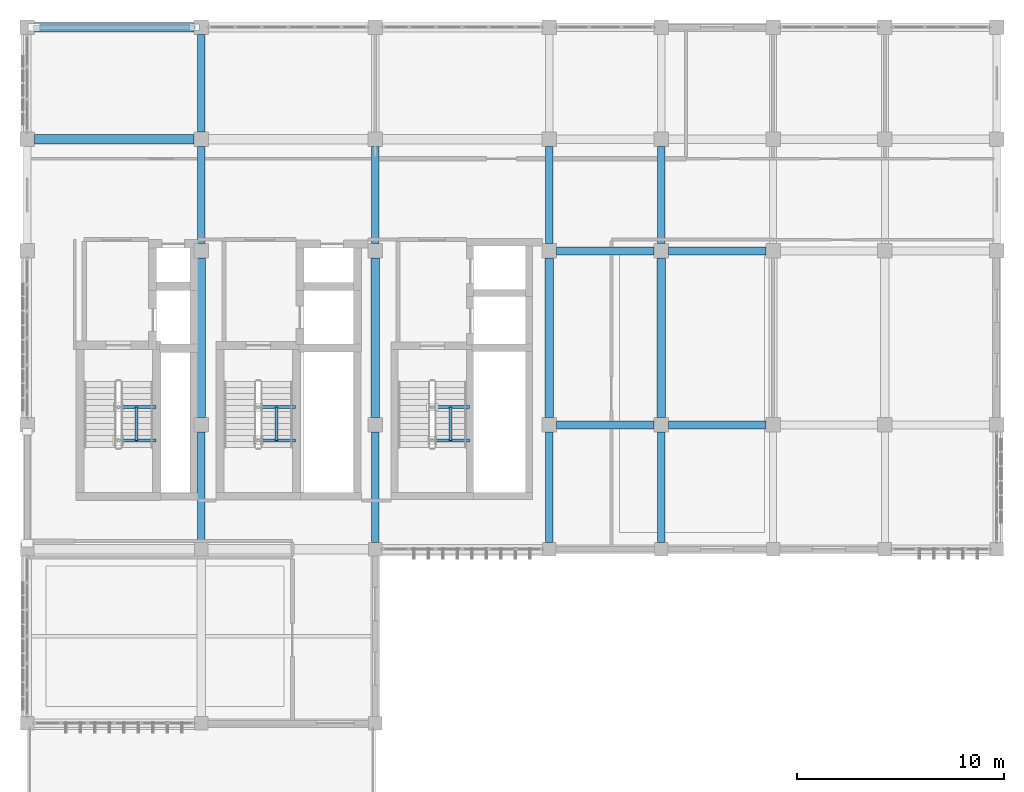
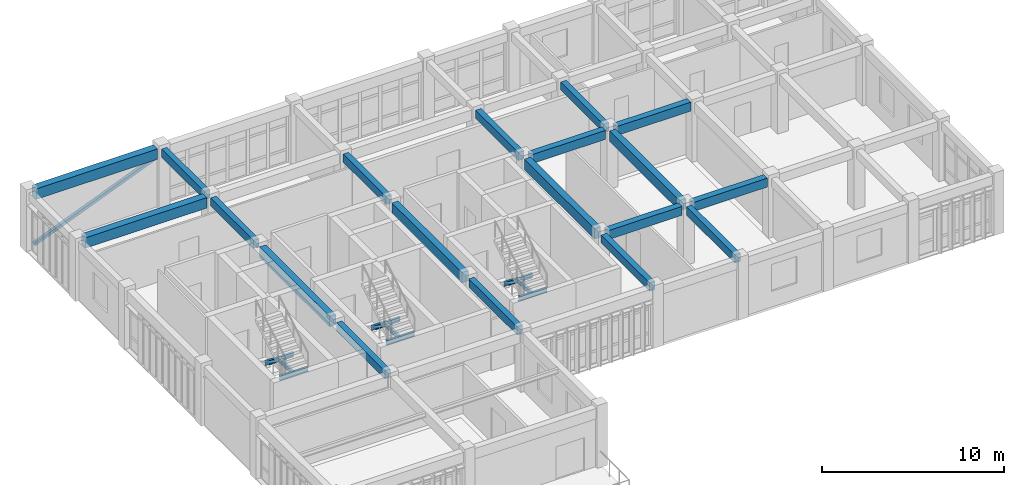
# One storey, part 11 of 23: 28 beams, 1 member.
"""IFC4 building model written with IfcOpenShell, lengths in metres."""

from ifc_helpers import new_model, si_unit, direction, frame, origin, origin_2d, place, context, subcontext, project, spatial, rectangle, hollow_rectangle, i_section, extrude, material, material_profile, profile_set, type_object, element, save


model = new_model("IFC4")

# Units and contexts
model_context = context("Model", 3, precision=1e-05, world=origin(), true_north=direction((0.0, 1.0)))
body_context = subcontext(model_context, "Body", "Model", "MODEL_VIEW")
ifc_project = project(units=[si_unit("LENGTHUNIT", "METRE"), si_unit("AREAUNIT", "SQUARE_METRE"), si_unit("VOLUMEUNIT", "CUBIC_METRE"), si_unit("PLANEANGLEUNIT", "RADIAN"), si_unit("MASSUNIT", "GRAM", prefix="KILO")], contexts=[model_context])

# Site, building, storey
site_placement = place(None, origin())
site = spatial("IfcSite", under=ifc_project, at=site_placement, CompositionType="ELEMENT")
building_placement = place(site_placement, origin())
building = spatial("IfcBuilding", under=site, at=building_placement, Name="Krzemoval Escarpment Law Courts", CompositionType="ELEMENT")
storey_placement = place(building_placement, frame((0.0, 0.0, 25.199951171875)))
storey = spatial("IfcBuildingStorey", under=building, at=storey_placement, Name="L05", CompositionType="ELEMENT", Elevation=25.199951171875)

# Beams
ifc_material_1 = material(Name="Concrete C40/50", Category="concrete")
ifc_material_profile_1 = material_profile(ifc_material_1, rectangle(XDim=0.35009765625, YDim=0.550048828125, at=origin_2d()), Name="RCB 350x550")
ifc_profile_set_1 = profile_set([ifc_material_profile_1], Name="Concrete C40/50")
beam_type_1 = type_object("IfcBeamType", Name="BM-RC-350x550", PredefinedType="BEAM", material=ifc_profile_set_1)
beam_1_placement = place(storey_placement, frame((134.39990234375, 93.925048828125, 3.675048828125), z_axis=(0.0, 1.0, 0.0), x_axis=(-1.0, 0.0, 0.0)))
element("IfcBeam", 1, at=beam_1_placement, inside=storey, type_object=beam_type_1, Name="Beam FG-L05-2603", PredefinedType="BEAM", context=body_context, shape_type="SweptSolid", body=[
    extrude(rectangle(XDim=0.35009765625, YDim=0.550048828125, at=origin_2d()), origin(), (0.0, 0.0, 1.0), 5.324951171875),
])
for number, where, z_axis, x_axis, name in (
    (2, (134.39990234375, 108.35009765625, 3.675048828125), (0.0, 1.0, 0.0), (-1.0, 0.0, 0.0), "Beam FG-L05-2605"),
    (3, (134.39990234375, 113.75, 3.675048828125), (0.0, 1.0, 0.0), (-1.0, 0.0, 0.0), "Beam FG-L05-2606"),
):
    element("IfcBeam", number, at=place(storey_placement, frame(where, z_axis=z_axis, x_axis=x_axis)), inside=storey, type_object=beam_type_1, Name=name, PredefinedType="BEAM", context=body_context, shape_type="SweptSolid", body=[
        extrude(rectangle(XDim=0.35009765625, YDim=0.550048828125, at=origin_2d()), origin(), (0.0, 0.0, 1.0), 4.699951171875),
    ])
beam_2_placement = place(storey_placement, frame((142.800048828125, 93.925048828125, 3.675048828125), z_axis=(0.0, 1.0, 0.0), x_axis=(-1.0, 0.0, 0.0)))
element("IfcBeam", 4, at=beam_2_placement, inside=storey, type_object=beam_type_1, Name="Beam FG-L05-2608", PredefinedType="BEAM", context=body_context, shape_type="SweptSolid", body=[
    extrude(rectangle(XDim=0.35009765625, YDim=0.550048828125, at=origin_2d()), origin(), (0.0, 0.0, 1.0), 5.324951171875),
])
beam_3_placement = place(storey_placement, frame((142.800048828125, 108.35009765625, 3.675048828125), z_axis=(0.0, 1.0, 0.0), x_axis=(-1.0, 0.0, 0.0)))
element("IfcBeam", 5, at=beam_3_placement, inside=storey, type_object=beam_type_1, Name="Beam FG-L05-2610", PredefinedType="BEAM", context=body_context, shape_type="SweptSolid", body=[
    extrude(rectangle(XDim=0.35009765625, YDim=0.550048828125, at=origin_2d()), origin(), (0.0, 0.0, 1.0), 4.699951171875),
])
beam_4_placement = place(storey_placement, frame((151.199951171875, 93.925048828125, 3.675048828125), z_axis=(0.0, 1.0, 0.0), x_axis=(-1.0, 0.0, 0.0)))
element("IfcBeam", 6, at=beam_4_placement, inside=storey, type_object=beam_type_1, Name="Beam FG-L05-2612", PredefinedType="BEAM", context=body_context, shape_type="SweptSolid", body=[
    extrude(rectangle(XDim=0.35009765625, YDim=0.550048828125, at=origin_2d()), origin(), (0.0, 0.0, 1.0), 5.324951171875),
])
beam_5_placement = place(storey_placement, frame((151.199951171875, 108.35009765625, 3.675048828125), z_axis=(0.0, 1.0, 0.0), x_axis=(-1.0, 0.0, 0.0)))
element("IfcBeam", 7, at=beam_5_placement, inside=storey, type_object=beam_type_1, Name="Beam FG-L05-2614", PredefinedType="BEAM", context=body_context, shape_type="SweptSolid", body=[
    extrude(rectangle(XDim=0.35009765625, YDim=0.550048828125, at=origin_2d()), origin(), (0.0, 0.0, 1.0), 4.699951171875),
])
beam_6_placement = place(storey_placement, frame((156.60009765625, 93.925048828125, 3.675048828125), z_axis=(0.0, 1.0, 0.0), x_axis=(-1.0, 0.0, 0.0)))
element("IfcBeam", 8, at=beam_6_placement, inside=storey, type_object=beam_type_1, Name="Beam FG-L05-2616", PredefinedType="BEAM", context=body_context, shape_type="SweptSolid", body=[
    extrude(rectangle(XDim=0.35009765625, YDim=0.550048828125, at=origin_2d()), origin(), (0.0, 0.0, 1.0), 5.324951171875),
])
beam_7_placement = place(storey_placement, frame((156.60009765625, 108.35009765625, 3.675048828125), z_axis=(0.0, 1.0, 0.0), x_axis=(-1.0, 0.0, 0.0)))
element("IfcBeam", 9, at=beam_7_placement, inside=storey, type_object=beam_type_1, Name="Beam FG-L05-2618", PredefinedType="BEAM", context=body_context, shape_type="SweptSolid", body=[
    extrude(rectangle(XDim=0.35009765625, YDim=0.550048828125, at=origin_2d()), origin(), (0.0, 0.0, 1.0), 4.699951171875),
])
ifc_material_2 = material(Name="Concrete C40/50", Category="concrete")
ifc_material_profile_2 = material_profile(ifc_material_2, rectangle(XDim=0.39990234375, YDim=0.60009765625, at=origin_2d()), Name="RCB 400x600")
ifc_profile_set_2 = profile_set([ifc_material_profile_2], Name="Concrete C40/50")
beam_type_2 = type_object("IfcBeamType", Name="BM-RC-400x600", PredefinedType="BEAM", material=ifc_profile_set_2)
for number, where, z_axis, x_axis, name in (
    (10, (151.550048828125, 99.60009765625, 3.650146484375), (1.0, 0.0, 0.0), (0.0, 1.0, 0.0), "Beam FG-L05-2575"),
    (11, (156.949951171875, 99.60009765625, 3.650146484375), (1.0, 0.0, 0.0), (0.0, 1.0, 0.0), "Beam FG-L05-2576"),
    (12, (151.550048828125, 108.0, 3.650146484375), (1.0, 0.0, 0.0), (0.0, 1.0, 0.0), "Beam FG-L05-2579"),
    (13, (156.949951171875, 108.0, 3.650146484375), (1.0, 0.0, 0.0), (0.0, 1.0, 0.0), "Beam FG-L05-2580"),
):
    element("IfcBeam", number, at=place(storey_placement, frame(where, z_axis=z_axis, x_axis=x_axis)), inside=storey, type_object=beam_type_2, Name=name, PredefinedType="BEAM", context=body_context, shape_type="SweptSolid", body=[
        extrude(rectangle(XDim=0.39990234375, YDim=0.60009765625, at=origin_2d()), origin(), (0.0, 0.0, 1.0), 4.699951171875),
    ])
ifc_material_3 = material(Name="Concrete C40/50", Category="concrete")
ifc_material_profile_3 = material_profile(ifc_material_3, rectangle(XDim=0.39990234375, YDim=0.699951171875, at=origin_2d()), Name="RCB 400x700")
ifc_profile_set_3 = profile_set([ifc_material_profile_3], Name="Concrete C40/50")
beam_type_3 = type_object("IfcBeamType", Name="BM-RC-400x700", PredefinedType="BEAM", material=ifc_profile_set_3)
for number, where, z_axis, x_axis, name in (
    (14, (134.39990234375, 99.949951171875, 3.60009765625), (0.0, 1.0, 0.0), (-1.0, 0.0, 0.0), "Beam FG-L05-2604"),
    (15, (142.800048828125, 99.949951171875, 3.60009765625), (0.0, 1.0, 0.0), (-1.0, 0.0, 0.0), "Beam FG-L05-2609"),
    (16, (151.199951171875, 99.949951171875, 3.60009765625), (0.0, 1.0, 0.0), (-1.0, 0.0, 0.0), "Beam FG-L05-2613"),
    (17, (156.60009765625, 99.949951171875, 3.60009765625), (0.0, 1.0, 0.0), (-1.0, 0.0, 0.0), "Beam FG-L05-2617"),
):
    element("IfcBeam", number, at=place(storey_placement, frame(where, z_axis=z_axis, x_axis=x_axis)), inside=storey, type_object=beam_type_3, Name=name, PredefinedType="BEAM", context=body_context, shape_type="SweptSolid", body=[
        extrude(rectangle(XDim=0.39990234375, YDim=0.699951171875, at=origin_2d()), origin(), (0.0, 0.0, 1.0), 7.699951171875),
    ])
ifc_material_4 = material(Name="Concrete C40/50", Category="concrete")
ifc_material_profile_4 = material_profile(ifc_material_4, rectangle(XDim=0.449951171875, YDim=0.699951171875, at=origin_2d()), Name="RCB 450x700")
ifc_profile_set_4 = profile_set([ifc_material_profile_4], Name="Concrete C40/50")
beam_type_4 = type_object("IfcBeamType", Name="BM-RC-450x700", PredefinedType="BEAM", material=ifc_profile_set_4)
for number, where, z_axis, x_axis, name in (
    (18, (126.35009765625, 113.39990234375, 3.60009765625), (1.0, 0.0, 0.0), (0.0, 1.0, 0.0), "Beam FG-L05-2583"),
    (19, (126.35009765625, 118.800048828125, 3.60009765625), (1.0, 0.0, 0.0), (0.0, 1.0, 0.0), "Beam FG-L05-2590"),
):
    element("IfcBeam", number, at=place(storey_placement, frame(where, z_axis=z_axis, x_axis=x_axis)), inside=storey, type_object=beam_type_4, Name=name, PredefinedType="BEAM", context=body_context, shape_type="SweptSolid", body=[
        extrude(rectangle(XDim=0.449951171875, YDim=0.699951171875, at=origin_2d()), origin(), (0.0, 0.0, 1.0), 7.699951171875),
    ])
ifc_material_5 = material(Name="Steel S355", Category="steel")
ifc_material_profile_5 = material_profile(ifc_material_5, i_section(OverallWidth=0.14990234375, OverallDepth=0.300048828125, WebThickness=0.007080078125, FlangeThickness=0.0107421875, at=origin_2d()), Name="IPE 300")
ifc_profile_set_5 = profile_set([ifc_material_profile_5], Name="Steel S355")
beam_type_5 = type_object("IfcBeamType", Name="JST-S355-IPE300", PredefinedType="JOIST", material=ifc_profile_set_5)
for number, where, z_axis, x_axis, name in (
    (20, (130.39990234375, 98.860107421875, 1.820068359375), (1.0, 0.0, 0.0), (0.0, 1.0, 0.0), "Stair Well Crosshead SLHW-C1-L05-1"),
    (21, (130.39990234375, 100.4599609375, 1.820068359375), (1.0, 0.0, 0.0), (0.0, 1.0, 0.0), "Stair Well Crosshead SLHW-C1-L05-2"),
):
    element("IfcBeam", number, at=place(storey_placement, frame(where, z_axis=z_axis, x_axis=x_axis)), inside=storey, type_object=beam_type_5, Name=name, PredefinedType="JOIST", context=body_context, shape_type="SweptSolid", body=[
        extrude(i_section(OverallWidth=0.14990234375, OverallDepth=0.300048828125, WebThickness=0.007080078125, FlangeThickness=0.0107421875, at=origin_2d()), origin(), (0.0, 0.0, 1.0), 1.81005859375),
    ])
beam_8_placement = place(storey_placement, frame((131.27490234375, 98.860107421875, 1.820068359375), z_axis=(0.0, 1.0, 0.0), x_axis=(-1.0, 0.0, 0.0)))
element("IfcBeam", 22, at=beam_8_placement, inside=storey, type_object=beam_type_5, Name="Stair Flight Support Stringer SLTW-C1-L05", PredefinedType="JOIST", context=body_context, shape_type="SweptSolid", body=[
    extrude(i_section(OverallWidth=0.14990234375, OverallDepth=0.300048828125, WebThickness=0.007080078125, FlangeThickness=0.0107421875, at=origin_2d()), origin(), (0.0, 0.0, 1.0), 1.599853515625),
])
for number, where, z_axis, x_axis, name in (
    (23, (137.14990234375, 98.860107421875, 1.820068359375), (1.0, 0.0, 0.0), (0.0, 1.0, 0.0), "Stair Well Crosshead SLHW-C2-L05-1"),
    (24, (137.14990234375, 100.4599609375, 1.820068359375), (1.0, 0.0, 0.0), (0.0, 1.0, 0.0), "Stair Well Crosshead SLHW-C2-L05-2"),
):
    element("IfcBeam", number, at=place(storey_placement, frame(where, z_axis=z_axis, x_axis=x_axis)), inside=storey, type_object=beam_type_5, Name=name, PredefinedType="JOIST", context=body_context, shape_type="SweptSolid", body=[
        extrude(i_section(OverallWidth=0.14990234375, OverallDepth=0.300048828125, WebThickness=0.007080078125, FlangeThickness=0.0107421875, at=origin_2d()), origin(), (0.0, 0.0, 1.0), 1.81005859375),
    ])
beam_9_placement = place(storey_placement, frame((138.02490234375, 98.860107421875, 1.820068359375), z_axis=(0.0, 1.0, 0.0), x_axis=(-1.0, 0.0, 0.0)))
element("IfcBeam", 25, at=beam_9_placement, inside=storey, type_object=beam_type_5, Name="Stair Flight Support Stringer SLTW-C2-L05", PredefinedType="JOIST", context=body_context, shape_type="SweptSolid", body=[
    extrude(i_section(OverallWidth=0.14990234375, OverallDepth=0.300048828125, WebThickness=0.007080078125, FlangeThickness=0.0107421875, at=origin_2d()), origin(), (0.0, 0.0, 1.0), 1.599853515625),
])
for number, where, z_axis, x_axis, name in (
    (26, (145.550048828125, 98.860107421875, 1.820068359375), (1.0, 0.0, 0.0), (0.0, 1.0, 0.0), "Stair Well Crosshead SLHW-C3-L05-1"),
    (27, (145.550048828125, 100.4599609375, 1.820068359375), (1.0, 0.0, 0.0), (0.0, 1.0, 0.0), "Stair Well Crosshead SLHW-C3-L05-2"),
):
    element("IfcBeam", number, at=place(storey_placement, frame(where, z_axis=z_axis, x_axis=x_axis)), inside=storey, type_object=beam_type_5, Name=name, PredefinedType="JOIST", context=body_context, shape_type="SweptSolid", body=[
        extrude(i_section(OverallWidth=0.14990234375, OverallDepth=0.300048828125, WebThickness=0.007080078125, FlangeThickness=0.0107421875, at=origin_2d()), origin(), (0.0, 0.0, 1.0), 1.81005859375),
    ])
beam_10_placement = place(storey_placement, frame((146.425048828125, 98.860107421875, 1.820068359375), z_axis=(0.0, 1.0, 0.0), x_axis=(-1.0, 0.0, 0.0)))
element("IfcBeam", 28, at=beam_10_placement, inside=storey, type_object=beam_type_5, Name="Stair Flight Support Stringer SLTW-C3-L05", PredefinedType="JOIST", context=body_context, shape_type="SweptSolid", body=[
    extrude(i_section(OverallWidth=0.14990234375, OverallDepth=0.300048828125, WebThickness=0.007080078125, FlangeThickness=0.0107421875, at=origin_2d()), origin(), (0.0, 0.0, 1.0), 1.599853515625),
])

# Member
ifc_material_6 = material(Name="Steel S355", Category="steel")
ifc_material_profile_6 = material_profile(ifc_material_6, hollow_rectangle(XDim=0.199951171875, YDim=0.199951171875, WallThickness=0.010009765625, at=origin_2d()), Name="SHS 200x200x10")
ifc_profile_set_6 = profile_set([ifc_material_profile_6], Name="Steel S355")
member_type = type_object("IfcMemberType", Name="MBR-BRC-SHS200", PredefinedType="BRACE", material=ifc_profile_set_6)
member_placement = place(storey_placement, frame((126.324951171875, 118.800048828125, 0.14013671875), z_axis=(0.927238716401, 0.0, 0.374470776974), x_axis=(0.0, 1.0, 0.0)))
element("IfcMember", 29, at=member_placement, inside=storey, type_object=member_type, Name="Lateral Diagonal Brace BR-0255", PredefinedType="BRACE", context=body_context, shape_type="SweptSolid", body=[
    extrude(hollow_rectangle(XDim=0.199951171875, YDim=0.199951171875, WallThickness=0.010009765625, at=origin_2d()), origin(), (0.0, 0.0, 1.0), 8.358154296875),
])

save(model, "model.ifc")
